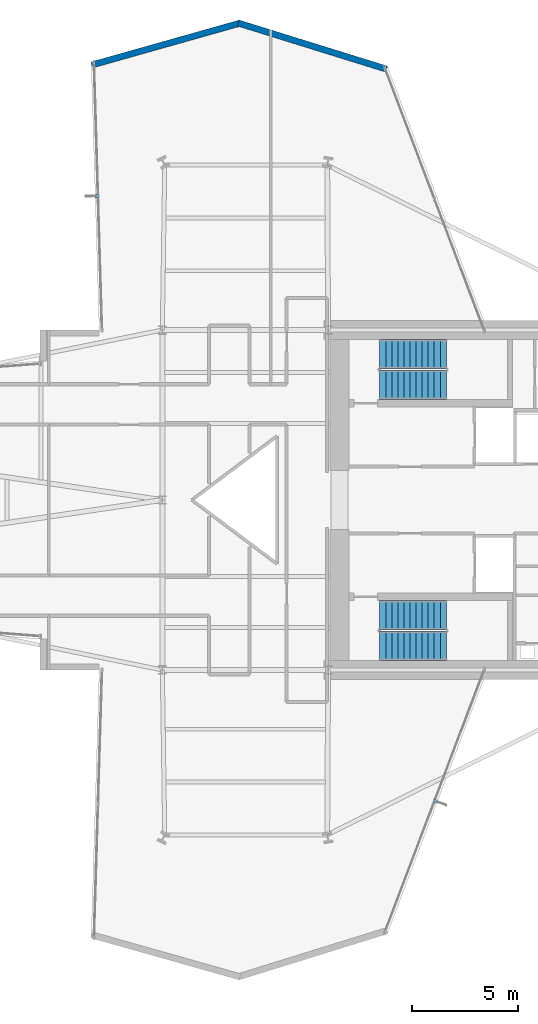
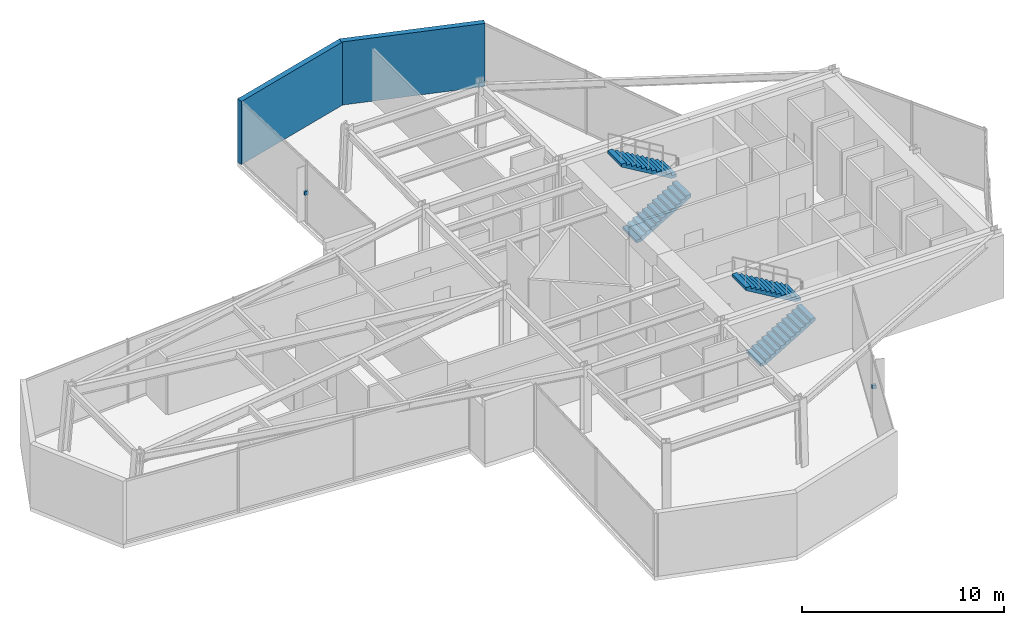
# One storey, part 27 of 28: 4 stair flights, 2 discrete accessories, 2 walls, 2 elements without a shape of their own.
"""IFC4 building model written with IfcOpenShell, lengths in metres."""

from ifc_helpers import new_model, si_unit, direction, frame, frame_2d, origin, origin_2d, place, context, subcontext, project, spatial, polyline, rectangle, outline, extrude, material, layer, layer_set, type_object, element, aggregate, save


model = new_model("IFC4")

# Units and contexts
model_context = context("Model", 3, precision=1e-05, world=origin(), true_north=direction((0.0, 1.0)))
body_context = subcontext(model_context, "Body", "Model", "MODEL_VIEW")
ifc_project = project(units=[si_unit("LENGTHUNIT", "METRE"), si_unit("AREAUNIT", "SQUARE_METRE"), si_unit("VOLUMEUNIT", "CUBIC_METRE"), si_unit("PLANEANGLEUNIT", "RADIAN"), si_unit("MASSUNIT", "GRAM", prefix="KILO")], contexts=[model_context])

# Site, building, storey
site_placement = place(None, origin())
site = spatial("IfcSite", under=ifc_project, at=site_placement, CompositionType="ELEMENT")
building_placement = place(site_placement, origin())
building = spatial("IfcBuilding", under=site, at=building_placement, Name="Veymaron Broadcast Tower", CompositionType="ELEMENT")
storey_placement = place(building_placement, frame((0.0, 0.0, 45.89990234375)))
storey = spatial("IfcBuildingStorey", under=building, at=storey_placement, Name="L09", CompositionType="ELEMENT", Elevation=45.89990234375)

# Walls
ifc_material_1 = material(Name="Precast concrete C40/50 with mineral-wool insulation", Category="concrete")
ifc_layer_1 = layer(ifc_material_1, 0.300048828125)
ifc_layer_set_1 = layer_set([ifc_layer_1], Name="Precast concrete C40/50 with mineral-wool insulation")
wall_type = type_object("IfcWallType", Name="WALL-EXT-300", PredefinedType="STANDARD", material=ifc_layer_set_1)
wall_1_placement = place(storey_placement, frame((41.753173828125, 44.2802734375, 0.0), z_axis=(0.0, 0.0, 1.0), x_axis=(-0.954957033511, 0.296744105498, 0.0)))
element("IfcWall", 1, at=wall_1_placement, inside=storey, type_object=wall_type, Name="L09 notched corner facade pier 6-1", PredefinedType="STANDARD", context=body_context, shape_type="SweptSolid", body=[
    extrude(rectangle(XDim=7.302490234375, YDim=0.300048828125, at=frame_2d((3.6513671875, 0.0))), origin(), (0.0, 0.0, 1.0), 3.81005859375),
])
wall_2_placement = place(storey_placement, frame((34.859130859375, 46.4462890625, 0.0), z_axis=(0.0, 0.0, 1.0), x_axis=(-0.962339681863, -0.271849842212, 0.0)))
element("IfcWall", 2, at=wall_2_placement, inside=storey, type_object=wall_type, Name="L09 notched corner facade pier 7-1", PredefinedType="STANDARD", context=body_context, shape_type="SweptSolid", body=[
    extrude(rectangle(XDim=7.24658203125, YDim=0.300048828125, at=frame_2d((3.623291015625, 0.0))), origin(), (0.0, 0.0, 1.0), 3.81005859375),
])

# Stair, stair flights
ifc_material_2 = material(Name="Concrete C50/60", Category="concrete")
stair_type_1 = type_object("IfcStairType", Name="STAIR-CORE-1", PredefinedType="HALF_TURN_STAIR", material=ifc_material_2)
stair_1_placement = place(storey_placement, origin())
stair_1 = element("IfcStair", 3, at=stair_1_placement, inside=storey, type_object=stair_type_1, Name="L09 North protected dog-leg exit stair ST1", PredefinedType="HALF_TURN_STAIR")
ifc_material_3 = material(Name="Precast concrete C50/60", Category="concrete")
stair_flight_type = type_object("IfcStairFlightType", Name="FLT-CORE-RC", PredefinedType="STRAIGHT", material=ifc_material_3)
stair_flight_1_placement = place(storey_placement, frame((41.429931640625, 29.419921875, 0.0), z_axis=(0.0, 0.0, 1.0), x_axis=(1.0, 0.0, 0.0)))
stair_flight_1 = element("IfcStairFlight", 4, at=stair_flight_1_placement, type_object=stair_flight_type, Name="ST1 flight 1", NumberOfRisers=12, NumberOfTreads=11, PredefinedType="STRAIGHT", RiserHeight=0.16875, TreadLength=0.285, context=body_context, shape_type="SweptSolid", body=[
    extrude(outline(polyline([(0.0, 0.0), (0.0, 0.168701171875), (0.284912109375, 0.168701171875), (0.284912109375, 0.33740234375), (0.570068359375, 0.33740234375), (0.570068359375, 0.50634765625), (0.85498046875, 0.50634765625), (0.85498046875, 0.675048828125), (1.139892578125, 0.675048828125), (1.139892578125, 0.84375), (1.425048828125, 0.84375), (1.425048828125, 1.012451171875), (1.7099609375, 1.012451171875), (1.7099609375, 1.18115234375), (1.9951171875, 1.18115234375), (1.9951171875, 1.35009765625), (2.280029296875, 1.35009765625), (2.280029296875, 1.518798828125), (2.56494140625, 1.518798828125), (2.56494140625, 1.6875), (2.85009765625, 1.6875), (2.85009765625, 1.856201171875), (3.135009765625, 1.856201171875), (3.135009765625, 2.02490234375), (3.135009765625, 1.68212890625), (0.294189453125, 0.0), (0.0, 0.0)])), frame((0.0, 0.68994140625, 0.0), z_axis=(0.0, -1.0, 0.0), x_axis=(1.0, 0.0, 0.0)), (0.0, 0.0, 1.0), 1.3798828125),
])
stair_flight_2_placement = place(storey_placement, frame((44.56494140625, 30.860107421875, 2.025146484375), z_axis=(0.0, 0.0, 1.0), x_axis=(-1.0, 0.0, 0.0)))
stair_flight_2 = element("IfcStairFlight", 5, at=stair_flight_2_placement, type_object=stair_flight_type, Name="ST1 flight 2", NumberOfRisers=12, NumberOfTreads=11, PredefinedType="STRAIGHT", RiserHeight=0.16875, TreadLength=0.285, context=body_context, shape_type="SweptSolid", body=[
    extrude(outline(polyline([(0.0, 0.0), (0.0, 0.168701171875), (0.284912109375, 0.168701171875), (0.284912109375, 0.33740234375), (0.570068359375, 0.33740234375), (0.570068359375, 0.50634765625), (0.85498046875, 0.50634765625), (0.85498046875, 0.675048828125), (1.139892578125, 0.675048828125), (1.139892578125, 0.84375), (1.425048828125, 0.84375), (1.425048828125, 1.012451171875), (1.7099609375, 1.012451171875), (1.7099609375, 1.18115234375), (1.9951171875, 1.18115234375), (1.9951171875, 1.35009765625), (2.280029296875, 1.35009765625), (2.280029296875, 1.518798828125), (2.56494140625, 1.518798828125), (2.56494140625, 1.6875), (2.85009765625, 1.6875), (2.85009765625, 1.856201171875), (3.135009765625, 1.856201171875), (3.135009765625, 2.02490234375), (3.135009765625, 1.68212890625), (0.294189453125, 0.0), (0.0, 0.0)])), frame((0.0, 0.68994140625, 0.0), z_axis=(0.0, -1.0, 0.0), x_axis=(1.0, 0.0, 0.0)), (0.0, 0.0, 1.0), 1.3798828125),
])
aggregate(stair_1, [stair_flight_1, stair_flight_2])

stair_type_2 = type_object("IfcStairType", Name="STAIR-CORE-2", PredefinedType="HALF_TURN_STAIR", material=ifc_material_2)
stair_2_placement = place(storey_placement, origin())
stair_2 = element("IfcStair", 6, at=stair_2_placement, inside=storey, type_object=stair_type_2, Name="L09 South protected dog-leg exit stair ST2", PredefinedType="HALF_TURN_STAIR")
stair_flight_3_placement = place(storey_placement, frame((41.429931640625, 17.139892578125, 0.0), z_axis=(0.0, 0.0, 1.0), x_axis=(1.0, 0.0, 0.0)))
stair_flight_3 = element("IfcStairFlight", 7, at=stair_flight_3_placement, type_object=stair_flight_type, Name="ST2 flight 1", NumberOfRisers=12, NumberOfTreads=11, PredefinedType="STRAIGHT", RiserHeight=0.16875, TreadLength=0.285, context=body_context, shape_type="SweptSolid", body=[
    extrude(outline(polyline([(0.0, 0.0), (0.0, 0.168701171875), (0.284912109375, 0.168701171875), (0.284912109375, 0.33740234375), (0.570068359375, 0.33740234375), (0.570068359375, 0.50634765625), (0.85498046875, 0.50634765625), (0.85498046875, 0.675048828125), (1.139892578125, 0.675048828125), (1.139892578125, 0.84375), (1.425048828125, 0.84375), (1.425048828125, 1.012451171875), (1.7099609375, 1.012451171875), (1.7099609375, 1.18115234375), (1.9951171875, 1.18115234375), (1.9951171875, 1.35009765625), (2.280029296875, 1.35009765625), (2.280029296875, 1.518798828125), (2.56494140625, 1.518798828125), (2.56494140625, 1.6875), (2.85009765625, 1.6875), (2.85009765625, 1.856201171875), (3.135009765625, 1.856201171875), (3.135009765625, 2.02490234375), (3.135009765625, 1.68212890625), (0.294189453125, 0.0), (0.0, 0.0)])), frame((0.0, 0.68994140625, 0.0), z_axis=(0.0, -1.0, 0.0), x_axis=(1.0, 0.0, 0.0)), (0.0, 0.0, 1.0), 1.3798828125),
])
stair_flight_4_placement = place(storey_placement, frame((44.56494140625, 18.580078125, 2.025146484375), z_axis=(0.0, 0.0, 1.0), x_axis=(-1.0, 0.0, 0.0)))
stair_flight_4 = element("IfcStairFlight", 8, at=stair_flight_4_placement, type_object=stair_flight_type, Name="ST2 flight 2", NumberOfRisers=12, NumberOfTreads=11, PredefinedType="STRAIGHT", RiserHeight=0.16875, TreadLength=0.285, context=body_context, shape_type="SweptSolid", body=[
    extrude(outline(polyline([(0.0, 0.0), (0.0, 0.168701171875), (0.284912109375, 0.168701171875), (0.284912109375, 0.33740234375), (0.570068359375, 0.33740234375), (0.570068359375, 0.50634765625), (0.85498046875, 0.50634765625), (0.85498046875, 0.675048828125), (1.139892578125, 0.675048828125), (1.139892578125, 0.84375), (1.425048828125, 0.84375), (1.425048828125, 1.012451171875), (1.7099609375, 1.012451171875), (1.7099609375, 1.18115234375), (1.9951171875, 1.18115234375), (1.9951171875, 1.35009765625), (2.280029296875, 1.35009765625), (2.280029296875, 1.518798828125), (2.56494140625, 1.518798828125), (2.56494140625, 1.6875), (2.85009765625, 1.6875), (2.85009765625, 1.856201171875), (3.135009765625, 1.856201171875), (3.135009765625, 2.02490234375), (3.135009765625, 1.68212890625), (0.294189453125, 0.0), (0.0, 0.0)])), frame((0.0, 0.68994140625, 0.0), z_axis=(0.0, -1.0, 0.0), x_axis=(1.0, 0.0, 0.0)), (0.0, 0.0, 1.0), 1.3798828125),
])
aggregate(stair_2, [stair_flight_3, stair_flight_4])

# Discrete accessories
ifc_material_4 = material(Name="Austenitic stainless steel AISI 316L", Category="steel")
ifc_layer_2 = layer(ifc_material_4, 0.1201171875)
ifc_layer_set_2 = layer_set([ifc_layer_2], Name="Austenitic stainless steel AISI 316L")
discrete_accessory_type = type_object("IfcDiscreteAccessoryType", Name="ACC-BRKT-SS1", PredefinedType="BRACKET", material=ifc_layer_set_2)
for number, where, z_axis, x_axis, name in (
    (9, (28.115478515625, 38.307861328125, 1.794921875), (0.0, 0.0, 1.0), (-0.999554146188, -0.029858145254, 0.0), "CW-L09-E8-1 fin bracket 1"),
    (10, (44.071044921875, 9.8212890625, 1.794921875), (0.0, 0.0, 1.0), (0.935159941588, -0.354225752381, 0.0), "CW-L09-E20-1 fin bracket 1"),
):
    element("IfcDiscreteAccessory", number, at=place(storey_placement, frame(where, z_axis=z_axis, x_axis=x_axis)), inside=storey, type_object=discrete_accessory_type, Name=name, PredefinedType="BRACKET", context=body_context, shape_type="SweptSolid", body=[
        extrude(rectangle(XDim=0.219970703125, YDim=0.139892578125, at=origin_2d()), origin(), (0.0, 0.0, 1.0), 0.219970703125),
    ])

save(model, "model.ifc")
